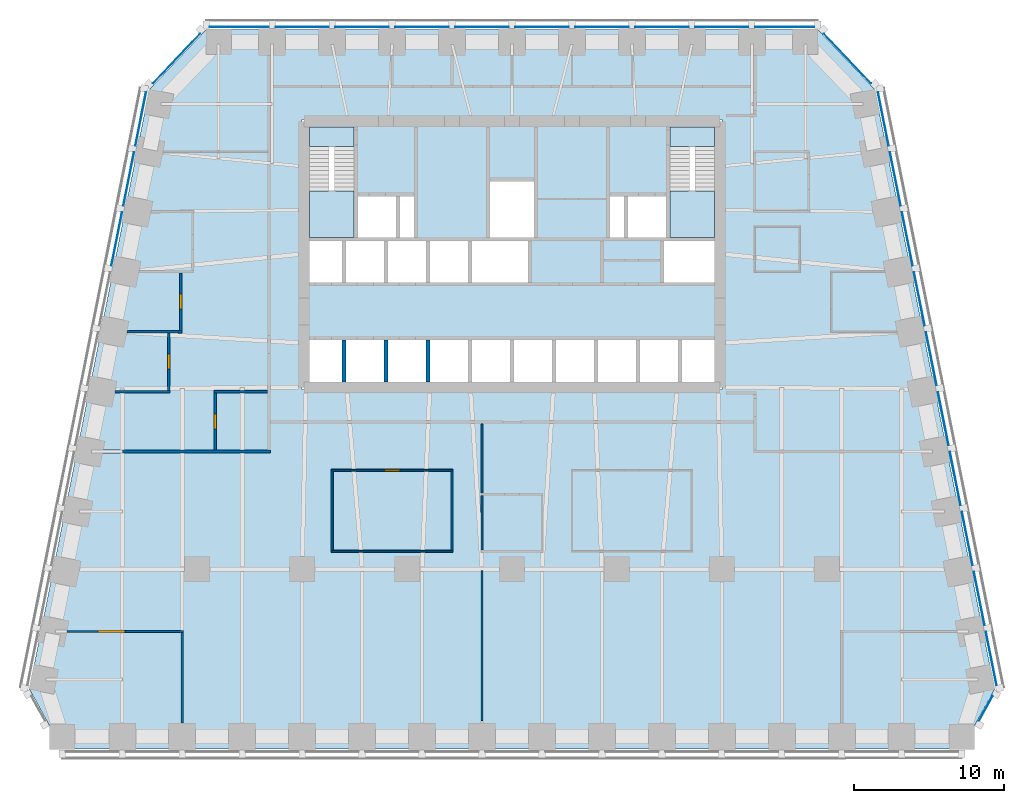
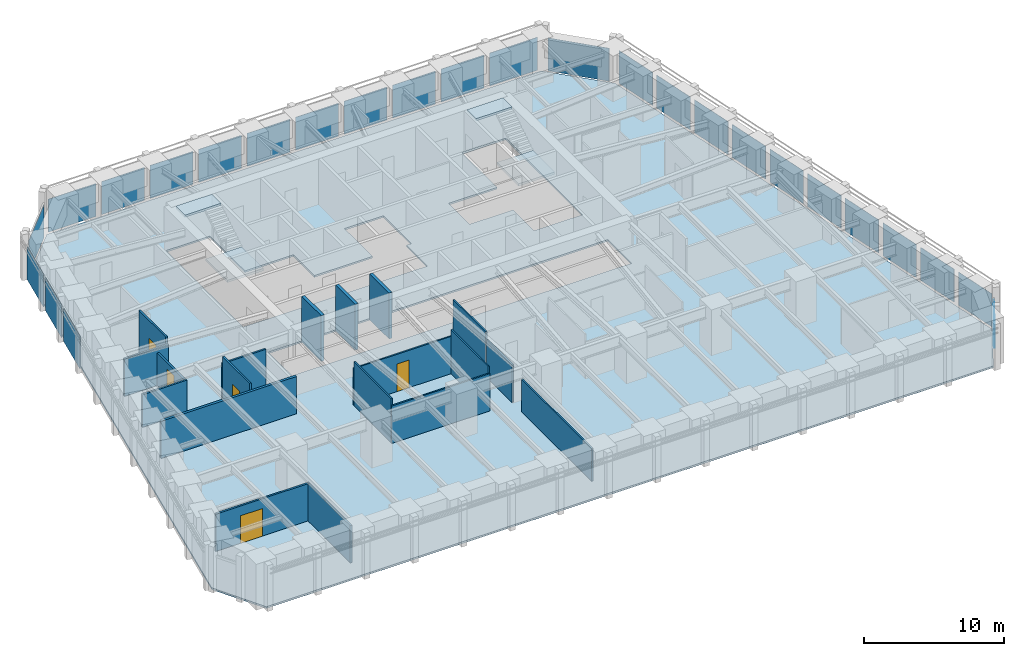
# One storey, part 5 of 10: 26 plates, 19 walls, 5 doors, 5 slabs, 5 openings, 8 elements without a shape of their own.
"""IFC4 building model written with IfcOpenShell, lengths in metres."""

from ifc_helpers import new_model, si_unit, direction, frame, frame_2d, origin, origin_2d, place, context, subcontext, project, spatial, polyline, rectangle, outline, extrude, material, layer, layer_set, type_object, element, fill, aggregate, save


model = new_model("IFC4")

# Units and contexts
model_context = context("Model", 3, precision=1e-05, world=origin(), true_north=direction((0.0, 1.0)))
body_context = subcontext(model_context, "Body", "Model", "MODEL_VIEW")
ifc_project = project(units=[si_unit("LENGTHUNIT", "METRE"), si_unit("AREAUNIT", "SQUARE_METRE"), si_unit("VOLUMEUNIT", "CUBIC_METRE"), si_unit("PLANEANGLEUNIT", "RADIAN"), si_unit("MASSUNIT", "GRAM", prefix="KILO")], contexts=[model_context])

# Site, building, storey
site_placement = place(None, origin())
site = spatial("IfcSite", under=ifc_project, at=site_placement, CompositionType="ELEMENT")
building_placement = place(site_placement, origin())
building = spatial("IfcBuilding", under=site, at=building_placement, Name="Isbrekke Arena Tower", CompositionType="ELEMENT")
storey_placement = place(building_placement, frame((0.0, 0.0, 119.0)))
storey = spatial("IfcBuildingStorey", under=building, at=storey_placement, Name="L26", CompositionType="ELEMENT", Elevation=119.0)

# Curtain wall, plate
ifc_material_1 = material(Name="Glazed aluminium curtain wall", Category="aluminium")
curtain_wall_type = type_object("IfcCurtainWallType", Name="CWM TOWER CURTAIN WALL MID ZONE", PredefinedType="USERDEFINED", material=ifc_material_1)
curtain_wall_1_placement = place(storey_placement, origin())
curtain_wall_1 = element("IfcCurtainWall", 1, at=curtain_wall_1_placement, inside=storey, type_object=curtain_wall_type, Name="CWM curtain wall L26-SE", ObjectType="TOWER CURTAIN WALL MID ZONE", PredefinedType="USERDEFINED")
ifc_material_2 = material(Name="Triple-glazed clear glass unit", Category="glass")
ifc_layer_1 = layer(ifc_material_2, 0.031982421875)
ifc_layer_set_1 = layer_set([ifc_layer_1], Name="CWM-P VISION PANEL")
plate_type = type_object("IfcPlateType", Name="CWM-P VISION PANEL", PredefinedType="CURTAIN_PANEL", material=ifc_layer_set_1)
plate_1_placement = place(storey_placement, frame((31.604248046875, -15.29052734375, 0.02001953125), z_axis=(0.0, 0.0, 1.0), x_axis=(0.481918749773, 0.876215908676, 0.0)))
plate_1 = element("IfcPlate", 2, at=plate_1_placement, type_object=plate_type, Name="CWM-P panel 1", PredefinedType="CURTAIN_PANEL", context=body_context, shape_type="SweptSolid", body=[
    extrude(rectangle(XDim=1.876220703125, YDim=0.031982421875, at=origin_2d()), origin(), (0.0, 0.0, 1.0), 2.8798828125),
])
aggregate(curtain_wall_1, [plate_1])

# Curtain wall, plates
curtain_wall_2_placement = place(storey_placement, origin())
curtain_wall_2 = element("IfcCurtainWall", 3, at=curtain_wall_2_placement, inside=storey, type_object=curtain_wall_type, Name="CWM curtain wall L26-E", ObjectType="TOWER CURTAIN WALL MID ZONE", PredefinedType="USERDEFINED")
plate_2_placement = place(storey_placement, frame((31.9716796875, -11.965576171875, 0.02001953125), z_axis=(0.0, 0.0, 1.0), x_axis=(-0.196116135138, 0.980580675691, 0.0)))
plate_2 = element("IfcPlate", 4, at=plate_2_placement, type_object=plate_type, Name="CWM-P panel 1", PredefinedType="CURTAIN_PANEL", context=body_context, shape_type="SweptSolid", body=[
    extrude(rectangle(XDim=3.629150390625, YDim=0.031982421875, at=origin_2d()), origin(), (0.0, 0.0, 1.0), 2.8798828125),
])
plate_3_placement = place(storey_placement, frame((31.171630859375, -7.965576171875, 0.02001953125), z_axis=(0.0, 0.0, 1.0), x_axis=(-0.196116135138, 0.980580675691, 0.0)))
plate_3 = element("IfcPlate", 5, at=plate_3_placement, type_object=plate_type, Name="CWM-P panel 2", PredefinedType="CURTAIN_PANEL", context=body_context, shape_type="SweptSolid", body=[
    extrude(rectangle(XDim=3.629150390625, YDim=0.031982421875, at=origin_2d()), origin(), (0.0, 0.0, 1.0), 2.8798828125),
])
plate_4_placement = place(storey_placement, frame((30.37158203125, -3.965576171875, 0.02001953125), z_axis=(0.0, 0.0, 1.0), x_axis=(-0.196116135138, 0.980580675691, 0.0)))
plate_4 = element("IfcPlate", 6, at=plate_4_placement, type_object=plate_type, Name="CWM-P panel 3", PredefinedType="CURTAIN_PANEL", context=body_context, shape_type="SweptSolid", body=[
    extrude(rectangle(XDim=3.629150390625, YDim=0.031982421875, at=origin_2d()), origin(), (0.0, 0.0, 1.0), 2.8798828125),
])
plate_5_placement = place(storey_placement, frame((29.571533203125, 0.034423828125, 0.02001953125), z_axis=(0.0, 0.0, 1.0), x_axis=(-0.196116135138, 0.980580675691, 0.0)))
plate_5 = element("IfcPlate", 7, at=plate_5_placement, type_object=plate_type, Name="CWM-P panel 4", PredefinedType="CURTAIN_PANEL", context=body_context, shape_type="SweptSolid", body=[
    extrude(rectangle(XDim=3.629150390625, YDim=0.031982421875, at=origin_2d()), origin(), (0.0, 0.0, 1.0), 2.8798828125),
])
plate_6_placement = place(storey_placement, frame((28.771484375, 4.034423828125, 0.02001953125), z_axis=(0.0, 0.0, 1.0), x_axis=(-0.196116135138, 0.980580675691, 0.0)))
plate_6 = element("IfcPlate", 8, at=plate_6_placement, type_object=plate_type, Name="CWM-P panel 5", PredefinedType="CURTAIN_PANEL", context=body_context, shape_type="SweptSolid", body=[
    extrude(rectangle(XDim=3.629150390625, YDim=0.031982421875, at=origin_2d()), origin(), (0.0, 0.0, 1.0), 2.8798828125),
])
plate_7_placement = place(storey_placement, frame((27.9716796875, 8.034423828125, 0.02001953125), z_axis=(0.0, 0.0, 1.0), x_axis=(-0.196116135138, 0.980580675691, 0.0)))
plate_7 = element("IfcPlate", 9, at=plate_7_placement, type_object=plate_type, Name="CWM-P panel 6", PredefinedType="CURTAIN_PANEL", context=body_context, shape_type="SweptSolid", body=[
    extrude(rectangle(XDim=3.629150390625, YDim=0.031982421875, at=origin_2d()), origin(), (0.0, 0.0, 1.0), 2.8798828125),
])
plate_8_placement = place(storey_placement, frame((27.171630859375, 12.034423828125, 0.02001953125), z_axis=(0.0, 0.0, 1.0), x_axis=(-0.196116135138, 0.980580675691, 0.0)))
plate_8 = element("IfcPlate", 10, at=plate_8_placement, type_object=plate_type, Name="CWM-P panel 7", PredefinedType="CURTAIN_PANEL", context=body_context, shape_type="SweptSolid", body=[
    extrude(rectangle(XDim=3.629150390625, YDim=0.031982421875, at=origin_2d()), origin(), (0.0, 0.0, 1.0), 2.8798828125),
])
plate_9_placement = place(storey_placement, frame((26.37158203125, 16.034423828125, 0.02001953125), z_axis=(0.0, 0.0, 1.0), x_axis=(-0.196116135138, 0.980580675691, 0.0)))
plate_9 = element("IfcPlate", 11, at=plate_9_placement, type_object=plate_type, Name="CWM-P panel 8", PredefinedType="CURTAIN_PANEL", context=body_context, shape_type="SweptSolid", body=[
    extrude(rectangle(XDim=3.629150390625, YDim=0.031982421875, at=origin_2d()), origin(), (0.0, 0.0, 1.0), 2.8798828125),
])
plate_10_placement = place(storey_placement, frame((25.571533203125, 20.034423828125, 0.02001953125), z_axis=(0.0, 0.0, 1.0), x_axis=(-0.196116135138, 0.980580675691, 0.0)))
plate_10 = element("IfcPlate", 12, at=plate_10_placement, type_object=plate_type, Name="CWM-P panel 9", PredefinedType="CURTAIN_PANEL", context=body_context, shape_type="SweptSolid", body=[
    extrude(rectangle(XDim=3.629150390625, YDim=0.031982421875, at=origin_2d()), origin(), (0.0, 0.0, 1.0), 2.8798828125),
])
plate_11_placement = place(storey_placement, frame((24.771484375, 24.034423828125, 0.02001953125), z_axis=(0.0, 0.0, 1.0), x_axis=(-0.196116135138, 0.980580675691, 0.0)))
plate_11 = element("IfcPlate", 13, at=plate_11_placement, type_object=plate_type, Name="CWM-P panel 10", PredefinedType="CURTAIN_PANEL", context=body_context, shape_type="SweptSolid", body=[
    extrude(rectangle(XDim=3.629150390625, YDim=0.031982421875, at=origin_2d()), origin(), (0.0, 0.0, 1.0), 2.8798828125),
])
aggregate(curtain_wall_2, [plate_2, plate_3, plate_4, plate_5, plate_6, plate_7, plate_8, plate_9, plate_10, plate_11])

# Curtain wall, plate
curtain_wall_3_placement = place(storey_placement, origin())
curtain_wall_3 = element("IfcCurtainWall", 14, at=curtain_wall_3_placement, inside=storey, type_object=curtain_wall_type, Name="CWM curtain wall L26-EN", ObjectType="TOWER CURTAIN WALL MID ZONE", PredefinedType="USERDEFINED")
plate_12_placement = place(storey_placement, frame((22.374755859375, 28.06640625, 0.02001953125), z_axis=(0.0, 0.0, 1.0), x_axis=(-0.68874946192, 0.72499943359, 0.0)))
plate_12 = element("IfcPlate", 15, at=plate_12_placement, type_object=plate_type, Name="CWM-P panel 1", PredefinedType="CURTAIN_PANEL", context=body_context, shape_type="SweptSolid", body=[
    extrude(rectangle(XDim=4.558349609375, YDim=0.031982421875, at=origin_2d()), origin(), (0.0, 0.0, 1.0), 2.8798828125),
])
aggregate(curtain_wall_3, [plate_12])

# Curtain wall, plates
curtain_wall_4_placement = place(storey_placement, origin())
curtain_wall_4 = element("IfcCurtainWall", 16, at=curtain_wall_4_placement, inside=storey, type_object=curtain_wall_type, Name="CWM curtain wall L26-N", ObjectType="TOWER CURTAIN WALL MID ZONE", PredefinedType="USERDEFINED")
plate_13_placement = place(storey_placement, frame((18.199951171875, 30.175048828125, 0.02001953125), z_axis=(0.0, 0.0, 1.0), x_axis=(-1.0, 0.0, 0.0)))
plate_13 = element("IfcPlate", 17, at=plate_13_placement, type_object=plate_type, Name="CWM-P panel 1", PredefinedType="CURTAIN_PANEL", context=body_context, shape_type="SweptSolid", body=[
    extrude(rectangle(XDim=3.949951171875, YDim=0.031982421875, at=origin_2d()), origin(), (0.0, 0.0, 1.0), 2.8798828125),
])
plate_14_placement = place(storey_placement, frame((14.0, 30.175048828125, 0.02001953125), z_axis=(0.0, 0.0, 1.0), x_axis=(-1.0, 0.0, 0.0)))
plate_14 = element("IfcPlate", 18, at=plate_14_placement, type_object=plate_type, Name="CWM-P panel 2", PredefinedType="CURTAIN_PANEL", context=body_context, shape_type="SweptSolid", body=[
    extrude(rectangle(XDim=3.550048828125, YDim=0.031982421875, at=origin_2d()), origin(), (0.0, 0.0, 1.0), 2.8798828125),
])
plate_15_placement = place(storey_placement, frame((10.0, 30.175048828125, 0.02001953125), z_axis=(0.0, 0.0, 1.0), x_axis=(-1.0, 0.0, 0.0)))
plate_15 = element("IfcPlate", 19, at=plate_15_placement, type_object=plate_type, Name="CWM-P panel 3", PredefinedType="CURTAIN_PANEL", context=body_context, shape_type="SweptSolid", body=[
    extrude(rectangle(XDim=3.550048828125, YDim=0.031982421875, at=origin_2d()), origin(), (0.0, 0.0, 1.0), 2.8798828125),
])
plate_16_placement = place(storey_placement, frame((6.0, 30.175048828125, 0.02001953125), z_axis=(0.0, 0.0, 1.0), x_axis=(-1.0, 0.0, 0.0)))
plate_16 = element("IfcPlate", 20, at=plate_16_placement, type_object=plate_type, Name="CWM-P panel 4", PredefinedType="CURTAIN_PANEL", context=body_context, shape_type="SweptSolid", body=[
    extrude(rectangle(XDim=3.550048828125, YDim=0.031982421875, at=origin_2d()), origin(), (0.0, 0.0, 1.0), 2.8798828125),
])
plate_17_placement = place(storey_placement, frame((2.0, 30.175048828125, 0.02001953125), z_axis=(0.0, 0.0, 1.0), x_axis=(-1.0, 0.0, 0.0)))
plate_17 = element("IfcPlate", 21, at=plate_17_placement, type_object=plate_type, Name="CWM-P panel 5", PredefinedType="CURTAIN_PANEL", context=body_context, shape_type="SweptSolid", body=[
    extrude(rectangle(XDim=3.550048828125, YDim=0.031982421875, at=origin_2d()), origin(), (0.0, 0.0, 1.0), 2.8798828125),
])
plate_18_placement = place(storey_placement, frame((-2.0, 30.175048828125, 0.02001953125), z_axis=(0.0, 0.0, 1.0), x_axis=(-1.0, 0.0, 0.0)))
plate_18 = element("IfcPlate", 22, at=plate_18_placement, type_object=plate_type, Name="CWM-P panel 6", PredefinedType="CURTAIN_PANEL", context=body_context, shape_type="SweptSolid", body=[
    extrude(rectangle(XDim=3.550048828125, YDim=0.031982421875, at=origin_2d()), origin(), (0.0, 0.0, 1.0), 2.8798828125),
])
plate_19_placement = place(storey_placement, frame((-6.0, 30.175048828125, 0.02001953125), z_axis=(0.0, 0.0, 1.0), x_axis=(-1.0, 0.0, 0.0)))
plate_19 = element("IfcPlate", 23, at=plate_19_placement, type_object=plate_type, Name="CWM-P panel 7", PredefinedType="CURTAIN_PANEL", context=body_context, shape_type="SweptSolid", body=[
    extrude(rectangle(XDim=3.550048828125, YDim=0.031982421875, at=origin_2d()), origin(), (0.0, 0.0, 1.0), 2.8798828125),
])
plate_20_placement = place(storey_placement, frame((-10.0, 30.175048828125, 0.02001953125), z_axis=(0.0, 0.0, 1.0), x_axis=(-1.0, 0.0, 0.0)))
plate_20 = element("IfcPlate", 24, at=plate_20_placement, type_object=plate_type, Name="CWM-P panel 8", PredefinedType="CURTAIN_PANEL", context=body_context, shape_type="SweptSolid", body=[
    extrude(rectangle(XDim=3.550048828125, YDim=0.031982421875, at=origin_2d()), origin(), (0.0, 0.0, 1.0), 2.8798828125),
])
plate_21_placement = place(storey_placement, frame((-14.0, 30.175048828125, 0.02001953125), z_axis=(0.0, 0.0, 1.0), x_axis=(-1.0, 0.0, 0.0)))
plate_21 = element("IfcPlate", 25, at=plate_21_placement, type_object=plate_type, Name="CWM-P panel 9", PredefinedType="CURTAIN_PANEL", context=body_context, shape_type="SweptSolid", body=[
    extrude(rectangle(XDim=3.550048828125, YDim=0.031982421875, at=origin_2d()), origin(), (0.0, 0.0, 1.0), 2.8798828125),
])
plate_22_placement = place(storey_placement, frame((-18.199951171875, 30.175048828125, 0.02001953125), z_axis=(0.0, 0.0, 1.0), x_axis=(-1.0, 0.0, 0.0)))
plate_22 = element("IfcPlate", 26, at=plate_22_placement, type_object=plate_type, Name="CWM-P panel 10", PredefinedType="CURTAIN_PANEL", context=body_context, shape_type="SweptSolid", body=[
    extrude(rectangle(XDim=3.949951171875, YDim=0.031982421875, at=origin_2d()), origin(), (0.0, 0.0, 1.0), 2.8798828125),
])
aggregate(curtain_wall_4, [plate_13, plate_14, plate_15, plate_16, plate_17, plate_18, plate_19, plate_20, plate_21, plate_22])

# Curtain wall, plate
curtain_wall_5_placement = place(storey_placement, origin())
curtain_wall_5 = element("IfcCurtainWall", 27, at=curtain_wall_5_placement, inside=storey, type_object=curtain_wall_type, Name="CWM curtain wall L26-NW", ObjectType="TOWER CURTAIN WALL MID ZONE", PredefinedType="USERDEFINED")
plate_23_placement = place(storey_placement, frame((-22.37451171875, 28.066650390625, 0.02001953125), z_axis=(0.0, 0.0, 1.0), x_axis=(-0.68874946192, -0.72499943359, 0.0)))
plate_23 = element("IfcPlate", 28, at=plate_23_placement, type_object=plate_type, Name="CWM-P panel 1", PredefinedType="CURTAIN_PANEL", context=body_context, shape_type="SweptSolid", body=[
    extrude(rectangle(XDim=4.557373046875, YDim=0.031982421875, at=origin_2d()), origin(), (0.0, 0.0, 1.0), 2.8798828125),
])
aggregate(curtain_wall_5, [plate_23])

# Curtain wall, plates
curtain_wall_6_placement = place(storey_placement, origin())
curtain_wall_6 = element("IfcCurtainWall", 29, at=curtain_wall_6_placement, inside=storey, type_object=curtain_wall_type, Name="CWM curtain wall L26-W", ObjectType="TOWER CURTAIN WALL MID ZONE", PredefinedType="USERDEFINED")
plate_24_placement = place(storey_placement, frame((-24.771484375, 24.034423828125, 0.02001953125), z_axis=(0.0, 0.0, 1.0), x_axis=(-0.196116135138, -0.980580675691, 0.0)))
plate_24 = element("IfcPlate", 30, at=plate_24_placement, type_object=plate_type, Name="CWM-P panel 1", PredefinedType="CURTAIN_PANEL", context=body_context, shape_type="SweptSolid", body=[
    extrude(rectangle(XDim=3.629150390625, YDim=0.031982421875, at=origin_2d()), origin(), (0.0, 0.0, 1.0), 2.8798828125),
])
plate_25_placement = place(storey_placement, frame((-25.571533203125, 20.034423828125, 0.02001953125), z_axis=(0.0, 0.0, 1.0), x_axis=(-0.196116135138, -0.980580675691, 0.0)))
plate_25 = element("IfcPlate", 31, at=plate_25_placement, type_object=plate_type, Name="CWM-P panel 2", PredefinedType="CURTAIN_PANEL", context=body_context, shape_type="SweptSolid", body=[
    extrude(rectangle(XDim=3.629150390625, YDim=0.031982421875, at=origin_2d()), origin(), (0.0, 0.0, 1.0), 2.8798828125),
])
plate_26_placement = place(storey_placement, frame((-26.37158203125, 16.034423828125, 0.02001953125), z_axis=(0.0, 0.0, 1.0), x_axis=(-0.196116135138, -0.980580675691, 0.0)))
plate_26 = element("IfcPlate", 32, at=plate_26_placement, type_object=plate_type, Name="CWM-P panel 3", PredefinedType="CURTAIN_PANEL", context=body_context, shape_type="SweptSolid", body=[
    extrude(rectangle(XDim=3.629150390625, YDim=0.031982421875, at=origin_2d()), origin(), (0.0, 0.0, 1.0), 2.8798828125),
])
aggregate(curtain_wall_6, [plate_24, plate_25, plate_26])

# Slab
ifc_material_3 = material(Name="Concrete B35 (C35/45)", Category="concrete")
ifc_layer_2 = layer(ifc_material_3, 0.14990234375)
ifc_layer_set_2 = layer_set([ifc_layer_2], Name="FS1 COMPOSITE FLOOR 150")
slab_type_1 = type_object("IfcSlabType", Name="FS1 COMPOSITE FLOOR 150", PredefinedType="FLOOR", material=ifc_layer_set_2)
slab_1_placement = place(storey_placement, frame((0.0, 0.0, -0.14990234375)))
element("IfcSlab", 33, at=slab_1_placement, inside=storey, type_object=slab_type_1, Name="FS1 floor slab L26", PredefinedType="FLOOR", context=body_context, shape_type="SweptSolid", body=[
    extrude(outline(polyline([(-30.0, -18.0), (30.0, -18.0), (32.199951171875, -14.0), (24.199951171875, 26.0), (20.39990234375, 30.0), (-20.39990234375, 30.0), (-24.199951171875, 26.0), (-32.199951171875, -14.0), (-30.0, -18.0)]), holes=[polyline([(14.0, 9.39990234375), (14.0, 6.0), (-14.0, 6.0), (-14.0, 9.39990234375), (14.0, 9.39990234375)]), polyline([(-6.39990234375, 19.0), (-6.39990234375, 16.0), (-1.60009765625, 16.0), (-1.60009765625, 20.0), (1.60009765625, 20.0), (1.60009765625, 16.0), (1.199951171875, 16.0), (1.199951171875, 13.0), (-14.0, 13.0), (-14.0, 24.0), (-10.39990234375, 24.0), (-10.39990234375, 19.0), (-6.39990234375, 19.0)]), polyline([(10.0, 13.0), (10.0, 16.0), (6.39990234375, 16.0), (6.39990234375, 19.0), (10.39990234375, 19.0), (10.39990234375, 24.0), (14.0, 24.0), (14.0, 13.0), (10.0, 13.0)])]), origin(), (0.0, 0.0, 1.0), 0.14990234375),
])

# Stair, slabs
ifc_material_4 = material(Name="Concrete B45 (C45/55) precast", Category="concrete")
stair_type = type_object("IfcStairType", Name="ST40 STAIR 1300 WIDE, 24 RISERS 167", PredefinedType="HALF_TURN_STAIR", material=ifc_material_4)
stair_1_placement = place(storey_placement, origin())
stair_1 = element("IfcStair", 34, at=stair_1_placement, inside=storey, type_object=stair_type, Name="ST1 stair L26", PredefinedType="HALF_TURN_STAIR")
ifc_material_5 = material(Name="Concrete B35 (C35/45)", Category="concrete")
ifc_layer_3 = layer(ifc_material_5, 0.199951171875)
ifc_layer_set_3 = layer_set([ifc_layer_3], Name="SL1 STAIR LANDING 200")
slab_type_2 = type_object("IfcSlabType", Name="SL1 STAIR LANDING 200", PredefinedType="LANDING", material=ifc_layer_set_3)
slab_2_placement = place(storey_placement, frame((0.0, 0.0, 1.800048828125)))
slab_2 = element("IfcSlab", 35, at=slab_2_placement, type_object=slab_type_2, Name="ST1 landing 1", PredefinedType="LANDING", context=body_context, shape_type="SweptSolid", body=[
    extrude(outline(polyline([(-13.5, 16.125), (-10.52490234375, 16.125), (-10.52490234375, 19.22998046875), (-13.5, 19.22998046875), (-13.5, 16.125)])), origin(), (0.0, 0.0, 1.0), 0.199951171875),
])
slab_3_placement = place(storey_placement, frame((0.0, 0.0, 3.800048828125)))
slab_3 = element("IfcSlab", 36, at=slab_3_placement, type_object=slab_type_2, Name="ST1 landing 2", PredefinedType="LANDING", context=body_context, shape_type="SweptSolid", body=[
    extrude(outline(polyline([(-13.5, 22.199951171875), (-10.52490234375, 22.199951171875), (-10.52490234375, 23.5), (-13.5, 23.5), (-13.5, 22.199951171875)])), origin(), (0.0, 0.0, 1.0), 0.199951171875),
])
aggregate(stair_1, [slab_2, slab_3])

stair_2_placement = place(storey_placement, origin())
stair_2 = element("IfcStair", 37, at=stair_2_placement, inside=storey, type_object=stair_type, Name="ST2 stair L26", PredefinedType="HALF_TURN_STAIR")
slab_4_placement = place(storey_placement, frame((0.0, 0.0, 1.800048828125)))
slab_4 = element("IfcSlab", 38, at=slab_4_placement, type_object=slab_type_2, Name="ST2 landing 1", PredefinedType="LANDING", context=body_context, shape_type="SweptSolid", body=[
    extrude(outline(polyline([(10.52490234375, 16.125), (13.5, 16.125), (13.5, 19.22998046875), (10.52490234375, 19.22998046875), (10.52490234375, 16.125)])), origin(), (0.0, 0.0, 1.0), 0.199951171875),
])
slab_5_placement = place(storey_placement, frame((0.0, 0.0, 3.800048828125)))
slab_5 = element("IfcSlab", 39, at=slab_5_placement, type_object=slab_type_2, Name="ST2 landing 2", PredefinedType="LANDING", context=body_context, shape_type="SweptSolid", body=[
    extrude(outline(polyline([(10.52490234375, 22.199951171875), (13.5, 22.199951171875), (13.5, 23.5), (10.52490234375, 23.5), (10.52490234375, 22.199951171875)])), origin(), (0.0, 0.0, 1.0), 0.199951171875),
])
aggregate(stair_2, [slab_4, slab_5])

# Walls
ifc_material_6 = material(Name="Concrete B45 (C45/55)", Category="concrete")
ifc_layer_4 = layer(ifc_material_6, 0.25)
ifc_layer_set_4 = layer_set([ifc_layer_4], Name="CW6 SHAFT WALL 250")
wall_type_1 = type_object("IfcWallType", Name="CW6 SHAFT WALL 250", PredefinedType="SHEAR", material=ifc_layer_set_4)
for number, where, z_axis, x_axis, name in (
    (40, (-11.199951171875, 6.5, 0.0), (0.0, 0.0, 1.0), (0.0, 1.0, 0.0), "Core wall SS01 L26"),
    (41, (-8.39990234375, 6.5, 0.0), (0.0, 0.0, 1.0), (0.0, 1.0, 0.0), "Core wall SS02 L26"),
    (42, (-5.60009765625, 6.5, 0.0), (0.0, 0.0, 1.0), (0.0, 1.0, 0.0), "Core wall SS03 L26"),
):
    element("IfcWall", number, at=place(storey_placement, frame(where, z_axis=z_axis, x_axis=x_axis)), inside=storey, type_object=wall_type_1, Name=name, PredefinedType="SHEAR", context=body_context, shape_type="SweptSolid", body=[
        extrude(rectangle(XDim=2.77490234375, YDim=0.25, at=frame_2d((1.387451171875, 0.0))), origin(), (0.0, 0.0, 1.0), 4.0),
    ])

# Wall, opening, door
ifc_material_7 = material(Name="Gypsum board partition on steel studs", Category="steel")
ifc_layer_5 = layer(ifc_material_7, 0.14990234375)
ifc_layer_set_5 = layer_set([ifc_layer_5], Name="IW1 PARTITION 150")
wall_type_2 = type_object("IfcWallType", Name="IW1 PARTITION 150", PredefinedType="PARTITIONING", material=ifc_layer_set_5)
wall_1_placement = place(storey_placement, frame((-29.6728515625, -10.159912109375, 0.0), z_axis=(0.0, 0.0, 1.0), x_axis=(1.0, 0.0, 0.0)))
wall_1 = element("IfcWall", 43, at=wall_1_placement, inside=storey, type_object=wall_type_2, Name="IW1 partition 150 L26", PredefinedType="PARTITIONING", context=body_context, shape_type="SweptSolid", body=[
    extrude(rectangle(XDim=7.747802734375, YDim=0.14990234375, at=frame_2d((3.8740234375, 0.0))), origin(), (0.0, 0.0, 1.0), 3.25),
])
opening_1_placement = place(wall_1_placement, frame((2.041015625, 0.0, 0.0)))
opening_1 = element("IfcOpeningElement", 44, at=opening_1_placement, cuts=wall_1, Name="Opening D13", PredefinedType="OPENING", context=body_context, shape_type="SweptSolid", body=[
    extrude(rectangle(XDim=1.800048828125, YDim=2.39990234375, at=frame_2d((0.89990234375, 1.199951171875))), frame((0.0, 0.08984375, 0.0), z_axis=(0.0, -1.0, 0.0), x_axis=(1.0, 0.0, 0.0)), (0.0, 0.0, 1.0), 0.1796875),
])
ifc_material_8 = material(Name="Timber door pair", Category="wood")
door_type_1 = type_object("IfcDoorType", Name="D13 DOUBLE ROOM DOOR 1800 x 2400", OperationType="DOUBLE_DOOR_SINGLE_SWING", PredefinedType="DOOR", material=ifc_material_8)
door_1_placement = place(opening_1_placement, origin())
door_1 = element("IfcDoor", 45, at=door_1_placement, inside=storey, type_object=door_type_1, Name="D13 office door L26", OperationType="DOUBLE_DOOR_SINGLE_SWING", OverallHeight=2.39990234375, OverallWidth=1.800048828125, PredefinedType="DOOR", context=body_context, shape_type="SweptSolid", body=[
    extrude(rectangle(XDim=1.800048828125, YDim=2.39990234375, at=frame_2d((0.89990234375, 1.199951171875))), frame((0.0, 0.07470703125, 0.0), z_axis=(0.0, -1.0, 0.0), x_axis=(1.0, 0.0, 0.0)), (0.0, 0.0, 1.0), 0.1494140625),
])
fill(opening_1, door_1)

# Walls
wall_2_placement = place(storey_placement, frame((-26.472900390625, 5.840087890625, 0.0), z_axis=(0.0, 0.0, 1.0), x_axis=(1.0, 0.0, 0.0)))
element("IfcWall", 46, at=wall_2_placement, inside=storey, type_object=wall_type_2, Name="IW1 partition 150 L26", PredefinedType="PARTITIONING", context=body_context, shape_type="SweptSolid", body=[
    extrude(rectangle(XDim=3.64794921875, YDim=0.14990234375, at=frame_2d((1.823974609375, 0.0))), origin(), (0.0, 0.0, 1.0), 2.842041015625),
])
wall_3_placement = place(storey_placement, frame((-19.875, 5.840087890625, 0.0), z_axis=(0.0, 0.0, 1.0), x_axis=(1.0, 0.0, 0.0)))
element("IfcWall", 47, at=wall_3_placement, inside=storey, type_object=wall_type_2, Name="IW1 partition 150 L26", PredefinedType="PARTITIONING", context=body_context, shape_type="SweptSolid", body=[
    extrude(rectangle(XDim=3.574951171875, YDim=0.14990234375, at=frame_2d((1.78759765625, 0.0))), origin(), (0.0, 0.0, 1.0), 3.25),
])
wall_4_placement = place(storey_placement, frame((-25.6728515625, 9.840087890625, 0.0), z_axis=(0.0, 0.0, 1.0), x_axis=(1.0, 0.0, 0.0)))
element("IfcWall", 48, at=wall_4_placement, inside=storey, type_object=wall_type_2, Name="IW1 partition 150 L26", PredefinedType="PARTITIONING", context=body_context, shape_type="SweptSolid", body=[
    extrude(rectangle(XDim=3.64794921875, YDim=0.14990234375, at=frame_2d((1.823974609375, 0.0))), origin(), (0.0, 0.0, 1.0), 3.25),
])

# Wall, opening, door
wall_5_placement = place(storey_placement, frame((-22.89990234375, 5.9150390625, 0.0), z_axis=(0.0, 0.0, 1.0), x_axis=(0.0, 1.0, 0.0)))
wall_5 = element("IfcWall", 49, at=wall_5_placement, inside=storey, type_object=wall_type_2, Name="IW1 partition 150 L26", PredefinedType="PARTITIONING", context=body_context, shape_type="SweptSolid", body=[
    extrude(rectangle(XDim=3.849853515625, YDim=0.14990234375, at=frame_2d((1.9248046875, 0.0))), origin(), (0.0, 0.0, 1.0), 2.842041015625),
])
opening_2_placement = place(wall_5_placement, frame((1.425048828125, 0.0, 0.0)))
opening_2 = element("IfcOpeningElement", 50, at=opening_2_placement, cuts=wall_5, Name="Opening D10", PredefinedType="OPENING", context=body_context, shape_type="SweptSolid", body=[
    extrude(rectangle(XDim=1.0, YDim=2.300048828125, at=frame_2d((0.5, 1.14990234375))), frame((0.0, 0.08984375, 0.0), z_axis=(0.0, -1.0, 0.0), x_axis=(1.0, 0.0, 0.0)), (0.0, 0.0, 1.0), 0.1796875),
])
ifc_material_9 = material(Name="Timber door", Category="wood")
door_type_2 = type_object("IfcDoorType", Name="D10 OFFICE DOOR 1000 x 2300", OperationType="SINGLE_SWING_LEFT", PredefinedType="DOOR", material=ifc_material_9)
door_2_placement = place(opening_2_placement, origin())
door_2 = element("IfcDoor", 51, at=door_2_placement, inside=storey, type_object=door_type_2, Name="D10 office door L26", OperationType="SINGLE_SWING_LEFT", OverallHeight=2.300048828125, OverallWidth=1.0, PredefinedType="DOOR", context=body_context, shape_type="SweptSolid", body=[
    extrude(rectangle(XDim=1.0, YDim=2.300048828125, at=frame_2d((0.5, 1.14990234375))), frame((0.0, 0.07470703125, 0.0), z_axis=(0.0, -1.0, 0.0), x_axis=(1.0, 0.0, 0.0)), (0.0, 0.0, 1.0), 0.1494140625),
])
fill(opening_2, door_2)

wall_6_placement = place(storey_placement, frame((-22.10009765625, 9.9150390625, 0.0), z_axis=(0.0, 0.0, 1.0), x_axis=(0.0, 1.0, 0.0)))
wall_6 = element("IfcWall", 52, at=wall_6_placement, inside=storey, type_object=wall_type_2, Name="IW1 partition 150 L26", PredefinedType="PARTITIONING", context=body_context, shape_type="SweptSolid", body=[
    extrude(rectangle(XDim=3.849853515625, YDim=0.14990234375, at=frame_2d((1.9248046875, 0.0))), origin(), (0.0, 0.0, 1.0), 3.85009765625),
])
opening_3_placement = place(wall_6_placement, frame((1.425048828125, 0.0, 0.0)))
opening_3 = element("IfcOpeningElement", 53, at=opening_3_placement, cuts=wall_6, Name="Opening D10", PredefinedType="OPENING", context=body_context, shape_type="SweptSolid", body=[
    extrude(rectangle(XDim=1.0, YDim=2.300048828125, at=frame_2d((0.5, 1.14990234375))), frame((0.0, 0.08984375, 0.0), z_axis=(0.0, -1.0, 0.0), x_axis=(1.0, 0.0, 0.0)), (0.0, 0.0, 1.0), 0.1796875),
])
door_3_placement = place(opening_3_placement, origin())
door_3 = element("IfcDoor", 54, at=door_3_placement, inside=storey, type_object=door_type_2, Name="D10 office door L26", OperationType="SINGLE_SWING_LEFT", OverallHeight=2.300048828125, OverallWidth=1.0, PredefinedType="DOOR", context=body_context, shape_type="SweptSolid", body=[
    extrude(rectangle(XDim=1.0, YDim=2.300048828125, at=frame_2d((0.5, 1.14990234375))), frame((0.0, 0.07470703125, 0.0), z_axis=(0.0, -1.0, 0.0), x_axis=(1.0, 0.0, 0.0)), (0.0, 0.0, 1.0), 0.1494140625),
])
fill(opening_3, door_3)

# Wall
wall_7_placement = place(storey_placement, frame((-22.0, -16.27490234375, 0.0), z_axis=(0.0, 0.0, 1.0), x_axis=(0.0, 1.0, 0.0)))
element("IfcWall", 55, at=wall_7_placement, inside=storey, type_object=wall_type_2, Name="IW1 partition 150 L26", PredefinedType="PARTITIONING", context=body_context, shape_type="SweptSolid", body=[
    extrude(rectangle(XDim=6.039794921875, YDim=0.14990234375, at=frame_2d((3.02001953125, 0.0))), origin(), (0.0, 0.0, 1.0), 3.25),
])

# Wall, opening, door
wall_8_placement = place(storey_placement, frame((-19.800048828125, 1.93994140625, 0.0), z_axis=(0.0, 0.0, 1.0), x_axis=(0.0, 1.0, 0.0)))
wall_8 = element("IfcWall", 56, at=wall_8_placement, inside=storey, type_object=wall_type_2, Name="IW1 partition 150 L26", PredefinedType="PARTITIONING", context=body_context, shape_type="SweptSolid", body=[
    extrude(rectangle(XDim=3.824951171875, YDim=0.14990234375, at=frame_2d((1.91259765625, 0.0))), origin(), (0.0, 0.0, 1.0), 3.85009765625),
])
opening_4_placement = place(wall_8_placement, frame((1.39990234375, 0.0, 0.0)))
opening_4 = element("IfcOpeningElement", 57, at=opening_4_placement, cuts=wall_8, Name="Opening D10", PredefinedType="OPENING", context=body_context, shape_type="SweptSolid", body=[
    extrude(rectangle(XDim=1.0, YDim=2.300048828125, at=frame_2d((0.5, 1.14990234375))), frame((0.0, 0.08984375, 0.0), z_axis=(0.0, -1.0, 0.0), x_axis=(1.0, 0.0, 0.0)), (0.0, 0.0, 1.0), 0.1796875),
])
door_4_placement = place(opening_4_placement, origin())
door_4 = element("IfcDoor", 58, at=door_4_placement, inside=storey, type_object=door_type_2, Name="D10 pantry door L26", OperationType="SINGLE_SWING_LEFT", OverallHeight=2.300048828125, OverallWidth=1.0, PredefinedType="DOOR", context=body_context, shape_type="SweptSolid", body=[
    extrude(rectangle(XDim=1.0, YDim=2.300048828125, at=frame_2d((0.5, 1.14990234375))), frame((0.0, 0.07470703125, 0.0), z_axis=(0.0, -1.0, 0.0), x_axis=(1.0, 0.0, 0.0)), (0.0, 0.0, 1.0), 0.1494140625),
])
fill(opening_4, door_4)

# Walls
wall_9_placement = place(storey_placement, frame((-2.0, -4.72509765625, 0.0), z_axis=(0.0, 0.0, 1.0), x_axis=(0.0, 1.0, 0.0)))
element("IfcWall", 59, at=wall_9_placement, inside=storey, type_object=wall_type_2, Name="IW1 partition 150 L26", PredefinedType="PARTITIONING", context=body_context, shape_type="SweptSolid", body=[
    extrude(rectangle(XDim=3.650146484375, YDim=0.14990234375, at=frame_2d((1.8251953125, 0.0))), origin(), (0.0, 0.0, 1.0), 3.25),
])
ifc_material_10 = material(Name="Frameless glazed partition, laminated acoustic glass", Category="glass")
ifc_layer_6 = layer(ifc_material_10, 0.1201171875)
ifc_layer_set_6 = layer_set([ifc_layer_6], Name="IW2 GLAZED PARTITION 120")
wall_type_3 = type_object("IfcWallType", Name="IW2 GLAZED PARTITION 120", PredefinedType="PARTITIONING", material=ifc_layer_set_6)
wall_10_placement = place(storey_placement, frame((-12.06005859375, -4.800048828125, 0.0), z_axis=(0.0, 0.0, 1.0), x_axis=(1.0, 0.0, 0.0)))
element("IfcWall", 60, at=wall_10_placement, inside=storey, type_object=wall_type_3, Name="IW2 glazed partition 120 L26", PredefinedType="PARTITIONING", context=body_context, shape_type="SweptSolid", body=[
    extrude(rectangle(XDim=8.1201171875, YDim=0.1201171875, at=frame_2d((4.06005859375, 0.0))), origin(), (0.0, 0.0, 1.0), 3.25),
])

# Wall, opening, door
wall_11_placement = place(storey_placement, frame((-12.06005859375, 0.60009765625, 0.0), z_axis=(0.0, 0.0, 1.0), x_axis=(1.0, 0.0, 0.0)))
wall_11 = element("IfcWall", 61, at=wall_11_placement, inside=storey, type_object=wall_type_3, Name="IW2 glazed partition 120 L26", PredefinedType="PARTITIONING", context=body_context, shape_type="SweptSolid", body=[
    extrude(rectangle(XDim=8.1201171875, YDim=0.1201171875, at=frame_2d((4.06005859375, 0.0))), origin(), (0.0, 0.0, 1.0), 3.25),
])
opening_5_placement = place(wall_11_placement, frame((3.56005859375, 0.0, 0.0)))
opening_5 = element("IfcOpeningElement", 62, at=opening_5_placement, cuts=wall_11, Name="Opening D11", PredefinedType="OPENING", context=body_context, shape_type="SweptSolid", body=[
    extrude(rectangle(XDim=1.0, YDim=2.39990234375, at=frame_2d((0.5, 1.199951171875))), frame((0.0, 0.074951171875, 0.0), z_axis=(0.0, -1.0, 0.0), x_axis=(1.0, 0.0, 0.0)), (0.0, 0.0, 1.0), 0.14990234375),
])
ifc_material_11 = material(Name="Frameless glazed door", Category="glass")
door_type_3 = type_object("IfcDoorType", Name="D11 GLAZED MEETING ROOM DOOR 1000 x 2400", OperationType="SINGLE_SWING_RIGHT", PredefinedType="DOOR", material=ifc_material_11)
door_5_placement = place(opening_5_placement, origin())
door_5 = element("IfcDoor", 63, at=door_5_placement, inside=storey, type_object=door_type_3, Name="D11 meeting room door L26", OperationType="SINGLE_SWING_RIGHT", OverallHeight=2.39990234375, OverallWidth=1.0, PredefinedType="DOOR", context=body_context, shape_type="SweptSolid", body=[
    extrude(rectangle(XDim=1.0, YDim=2.39990234375, at=frame_2d((0.5, 1.199951171875))), frame((0.0, 0.059814453125, 0.0), z_axis=(0.0, -1.0, 0.0), x_axis=(1.0, 0.0, 0.0)), (0.0, 0.0, 1.0), 0.11962890625),
])
fill(opening_5, door_5)

# Walls
for number, where, z_axis, x_axis, name in (
    (64, (-12.0, -4.739990234375, 0.0), (0.0, 0.0, 1.0), (0.0, 1.0, 0.0), "IW2 glazed partition 120 L26"),
    (65, (-4.0, -4.739990234375, 0.0), (0.0, 0.0, 1.0), (0.0, 1.0, 0.0), "IW2 glazed partition 120 L26"),
):
    element("IfcWall", number, at=place(storey_placement, frame(where, z_axis=z_axis, x_axis=x_axis)), inside=storey, type_object=wall_type_3, Name=name, PredefinedType="PARTITIONING", context=body_context, shape_type="SweptSolid", body=[
        extrude(rectangle(XDim=5.280029296875, YDim=0.1201171875, at=frame_2d((2.64013671875, 0.0))), origin(), (0.0, 0.0, 1.0), 3.85009765625),
    ])
wall_12_placement = place(storey_placement, frame((-1.9990234375, -16.10009765625, 0.0), z_axis=(0.0, 0.0, 1.0), x_axis=(0.0, 1.0, 0.0)))
element("IfcWall", 66, at=wall_12_placement, inside=storey, type_object=wall_type_3, Name="IW2 glazed partition 120 L26", PredefinedType="PARTITIONING", context=body_context, shape_type="SweptSolid", body=[
    extrude(rectangle(XDim=10.005126953125, YDim=0.1201171875, at=frame_2d((5.00244140625, 0.0))), origin(), (0.0, 0.0, 1.0), 2.842041015625),
])
wall_13_placement = place(storey_placement, frame((-1.9990234375, -0.905029296875, 0.0), z_axis=(0.0, 0.0, 1.0), x_axis=(0.0, 1.0, 0.0)))
element("IfcWall", 67, at=wall_13_placement, inside=storey, type_object=wall_type_3, Name="IW2 glazed partition 120 L26", PredefinedType="PARTITIONING", context=body_context, shape_type="SweptSolid", body=[
    extrude(rectangle(XDim=4.5849609375, YDim=0.1201171875, at=frame_2d((2.29248046875, 0.0))), origin(), (0.0, 0.0, 1.0), 3.85009765625),
])
ifc_material_12 = material(Name="Gypsum board fire-cell wall on steel studs, two layers each side", Category="steel")
ifc_layer_7 = layer(ifc_material_12, 0.199951171875)
ifc_layer_set_7 = layer_set([ifc_layer_7], Name="IW3 FIRE-CELL WALL 200")
wall_type_4 = type_object("IfcWallType", Name="IW3 FIRE-CELL WALL 200", PredefinedType="PARTITIONING", material=ifc_layer_set_7)
wall_14_placement = place(storey_placement, frame((-27.272705078125, 1.840087890625, 0.0), z_axis=(0.0, 0.0, 1.0), x_axis=(1.0, 0.0, 0.0)))
element("IfcWall", 68, at=wall_14_placement, inside=storey, type_object=wall_type_4, Name="IW3 fire-cell wall 200 L26", PredefinedType="PARTITIONING", context=body_context, shape_type="SweptSolid", body=[
    extrude(rectangle(XDim=11.172607421875, YDim=0.199951171875, at=frame_2d((5.58642578125, 0.0))), origin(), (0.0, 0.0, 1.0), 3.25),
])

save(model, "model.ifc")
